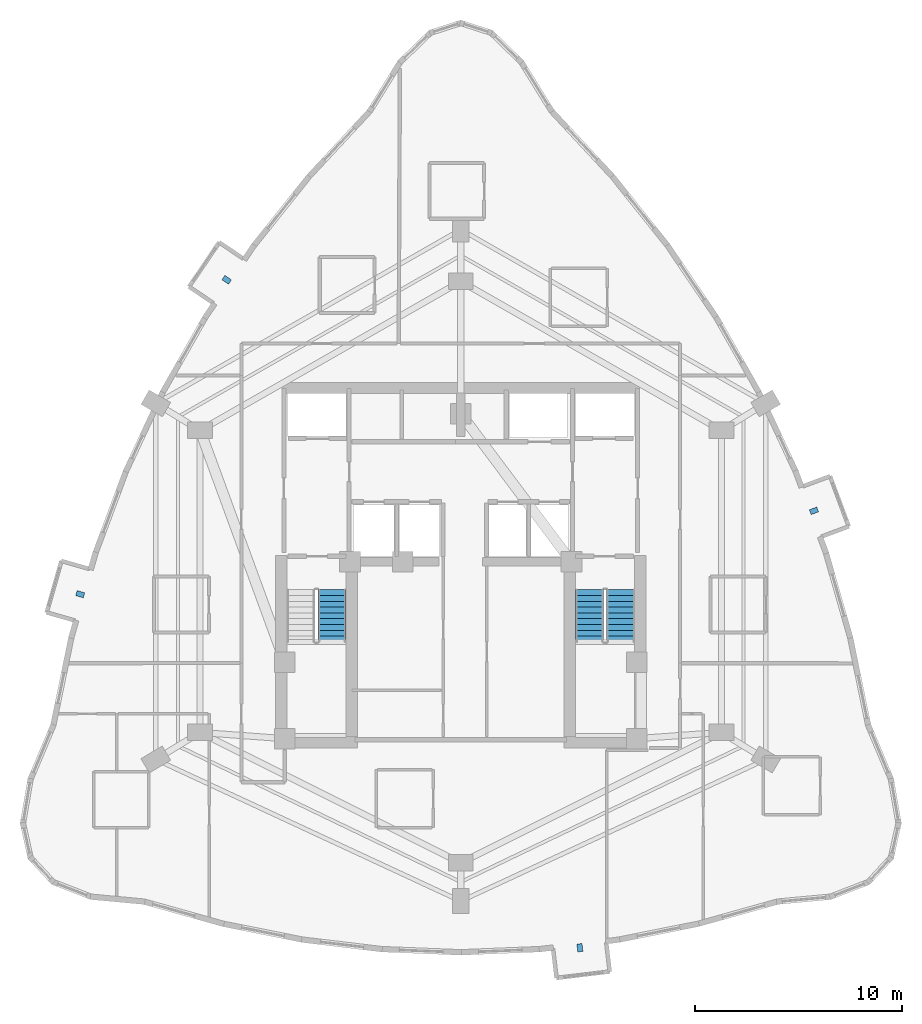
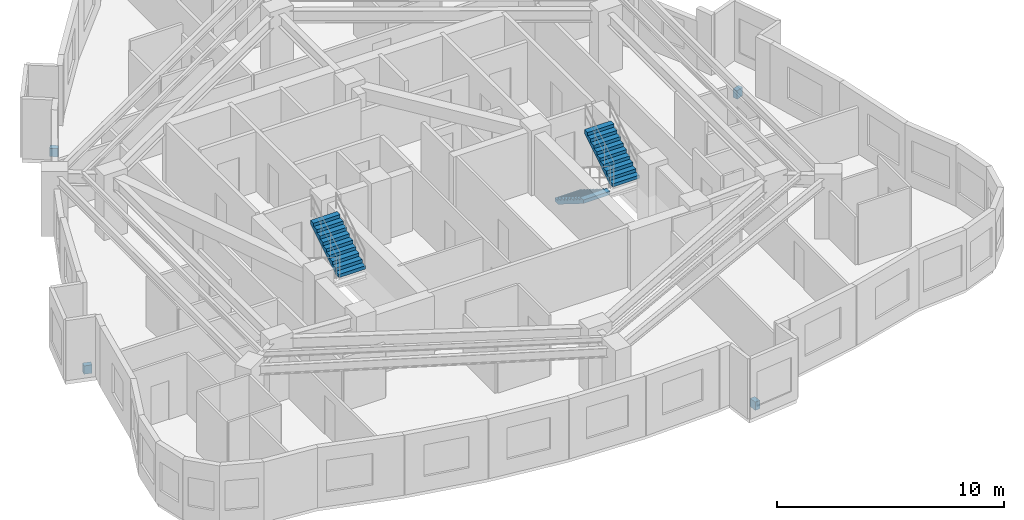
# One storey, part 8 of 9: 4 discrete accessories, 3 stair flights, 2 elements without a shape of their own.
"""IFC4 building model written with IfcOpenShell, lengths in metres."""

from ifc_helpers import new_model, si_unit, direction, frame, origin, origin_2d, place, context, subcontext, project, spatial, polyline, rectangle, outline, extrude, material, type_object, element, aggregate, save


model = new_model("IFC4")

# Units and contexts
model_context = context("Model", 3, precision=1e-05, world=origin(), true_north=direction((0.0, 1.0)))
body_context = subcontext(model_context, "Body", "Model", "MODEL_VIEW")
ifc_project = project(units=[si_unit("LENGTHUNIT", "METRE"), si_unit("AREAUNIT", "SQUARE_METRE"), si_unit("VOLUMEUNIT", "CUBIC_METRE"), si_unit("PLANEANGLEUNIT", "RADIAN"), si_unit("MASSUNIT", "GRAM", prefix="KILO")], contexts=[model_context])

# Site, building, storey
site_placement = place(None, origin())
site = spatial("IfcSite", under=ifc_project, at=site_placement, CompositionType="ELEMENT")
building_placement = place(site_placement, origin())
building = spatial("IfcBuilding", under=site, at=building_placement, Name="Miruveldt Soraemaru", CompositionType="ELEMENT")
storey_placement = place(building_placement, frame((0.0, 0.0, 170.39990234375)))
storey = spatial("IfcBuildingStorey", under=building, at=storey_placement, Name="L47", CompositionType="ELEMENT", Elevation=170.39990234375)

# Stair, stair flight
ifc_material_1 = material(Name="Concrete C40/50 (40 MPa)", Category="concrete")
stair_type = type_object("IfcStairType", Name="STAIR-DL-350", PredefinedType="HALF_TURN_STAIR", material=ifc_material_1)
stair_1_placement = place(storey_placement, origin())
stair_1 = element("IfcStair", 1, at=stair_1_placement, inside=storey, type_object=stair_type, Name="L47 Protected Exit Stair ST-1", PredefinedType="HALF_TURN_STAIR")
stair_flight_type = type_object("IfcStairFlightType", Name="SFL-DL-350", PredefinedType="STRAIGHT", material=ifc_material_1)
stair_flight_1_placement = place(storey_placement, frame((37.77490234375, 40.179931640625, 1.75), z_axis=(0.0, 0.0, 1.0), x_axis=(0.0, 1.0, 0.0)))
stair_flight_1 = element("IfcStairFlight", 2, at=stair_flight_1_placement, type_object=stair_flight_type, Name="ST-1 flight 2", NumberOfRisers=10, NumberOfTreads=9, PredefinedType="STRAIGHT", RiserHeight=0.175, TreadLength=0.28, context=body_context, shape_type="SweptSolid", body=[
    extrude(outline(polyline([(0.0, 0.0), (0.0, 0.175048828125), (0.280029296875, 0.175048828125), (0.280029296875, 0.35009765625), (0.56005859375, 0.35009765625), (0.56005859375, 0.52490234375), (0.840087890625, 0.52490234375), (0.840087890625, 0.699951171875), (1.1201171875, 0.699951171875), (1.1201171875, 0.875), (1.39990234375, 0.875), (1.39990234375, 1.050048828125), (1.679931640625, 1.050048828125), (1.679931640625, 1.22509765625), (1.9599609375, 1.22509765625), (1.9599609375, 1.39990234375), (2.239990234375, 1.39990234375), (2.239990234375, 1.574951171875), (2.52001953125, 1.574951171875), (2.52001953125, 1.75), (2.52001953125, 1.386474609375), (0.3017578125, 0.0), (0.0, 0.0)])), frame((0.0, 0.675048828125, 0.0), z_axis=(0.0, -1.0, 0.0), x_axis=(1.0, 0.0, 0.0)), (0.0, 0.0, 1.0), 1.35009765625),
])
aggregate(stair_1, [stair_flight_1])

# Stair, stair flights
stair_2_placement = place(storey_placement, origin())
stair_2 = element("IfcStair", 3, at=stair_2_placement, inside=storey, type_object=stair_type, Name="L47 Protected Exit Stair ST-2", PredefinedType="HALF_TURN_STAIR")
stair_flight_2_placement = place(storey_placement, frame((50.22509765625, 42.699951171875, 0.0), z_axis=(0.0, 0.0, 1.0), x_axis=(0.0, -1.0, 0.0)))
stair_flight_2 = element("IfcStairFlight", 4, at=stair_flight_2_placement, type_object=stair_flight_type, Name="ST-2 flight 1", NumberOfRisers=10, NumberOfTreads=9, PredefinedType="STRAIGHT", RiserHeight=0.175, TreadLength=0.28, context=body_context, shape_type="SweptSolid", body=[
    extrude(outline(polyline([(0.0, 0.0), (0.0, 0.175048828125), (0.280029296875, 0.175048828125), (0.280029296875, 0.35009765625), (0.56005859375, 0.35009765625), (0.56005859375, 0.52490234375), (0.840087890625, 0.52490234375), (0.840087890625, 0.699951171875), (1.1201171875, 0.699951171875), (1.1201171875, 0.875), (1.39990234375, 0.875), (1.39990234375, 1.050048828125), (1.679931640625, 1.050048828125), (1.679931640625, 1.22509765625), (1.9599609375, 1.22509765625), (1.9599609375, 1.39990234375), (2.239990234375, 1.39990234375), (2.239990234375, 1.574951171875), (2.52001953125, 1.574951171875), (2.52001953125, 1.75), (2.52001953125, 1.386474609375), (0.3017578125, 0.0), (0.0, 0.0)])), frame((0.0, 0.675048828125, 0.0), z_axis=(0.0, -1.0, 0.0), x_axis=(1.0, 0.0, 0.0)), (0.0, 0.0, 1.0), 1.35009765625),
])
stair_flight_3_placement = place(storey_placement, frame((51.72509765625, 40.179931640625, 1.75), z_axis=(0.0, 0.0, 1.0), x_axis=(0.0, 1.0, 0.0)))
stair_flight_3 = element("IfcStairFlight", 5, at=stair_flight_3_placement, type_object=stair_flight_type, Name="ST-2 flight 2", NumberOfRisers=10, NumberOfTreads=9, PredefinedType="STRAIGHT", RiserHeight=0.175, TreadLength=0.28, context=body_context, shape_type="SweptSolid", body=[
    extrude(outline(polyline([(0.0, 0.0), (0.0, 0.175048828125), (0.280029296875, 0.175048828125), (0.280029296875, 0.35009765625), (0.56005859375, 0.35009765625), (0.56005859375, 0.52490234375), (0.840087890625, 0.52490234375), (0.840087890625, 0.699951171875), (1.1201171875, 0.699951171875), (1.1201171875, 0.875), (1.39990234375, 0.875), (1.39990234375, 1.050048828125), (1.679931640625, 1.050048828125), (1.679931640625, 1.22509765625), (1.9599609375, 1.22509765625), (1.9599609375, 1.39990234375), (2.239990234375, 1.39990234375), (2.239990234375, 1.574951171875), (2.52001953125, 1.574951171875), (2.52001953125, 1.75), (2.52001953125, 1.386474609375), (0.3017578125, 0.0), (0.0, 0.0)])), frame((0.0, 0.675048828125, 0.0), z_axis=(0.0, -1.0, 0.0), x_axis=(1.0, 0.0, 0.0)), (0.0, 0.0, 1.0), 1.35009765625),
])
aggregate(stair_2, [stair_flight_2, stair_flight_3])

# Discrete accessories
ifc_material_2 = material(Name="Steel SM355 (355 MPa)", Category="steel")
discrete_accessory_type = type_object("IfcDiscreteAccessoryType", Name="ACC-BAY-BRK", PredefinedType="BRACKET", material=ifc_material_2)
for number, where, z_axis, x_axis, name in (
    (6, (32.68701171875, 57.678466796875, -0.7099609375), (0.0, 0.0, 1.0), (-0.827923319955, 0.560841311134, 0.0), "L47 Bay Window Cantilever Bracket 1"),
    (7, (25.607666015625, 42.483154296875, -0.7099609375), (0.0, 0.0, 1.0), (-0.961449093633, 0.274982981932, 0.0), "L47 Bay Window Cantilever Bracket 2"),
    (8, (49.7578125, 25.396240234375, -0.7099609375), (0.0, 0.0, 1.0), (0.119149147143, -0.992876367296, 0.0), "L47 Bay Window Cantilever Bracket 3"),
    (9, (61.0693359375, 46.511962890625, -0.7099609375), (0.0, 0.0, 1.0), (0.93711153314, 0.349030048069, 0.0), "L47 Bay Window Cantilever Bracket 4"),
):
    element("IfcDiscreteAccessory", number, at=place(storey_placement, frame(where, z_axis=z_axis, x_axis=x_axis)), inside=storey, type_object=discrete_accessory_type, Name=name, PredefinedType="BRACKET", context=body_context, shape_type="SweptSolid", body=[
        extrude(rectangle(XDim=0.3798828125, YDim=0.25, at=origin_2d()), origin(), (0.0, 0.0, 1.0), 0.449951171875),
    ])

save(model, "model.ifc")
